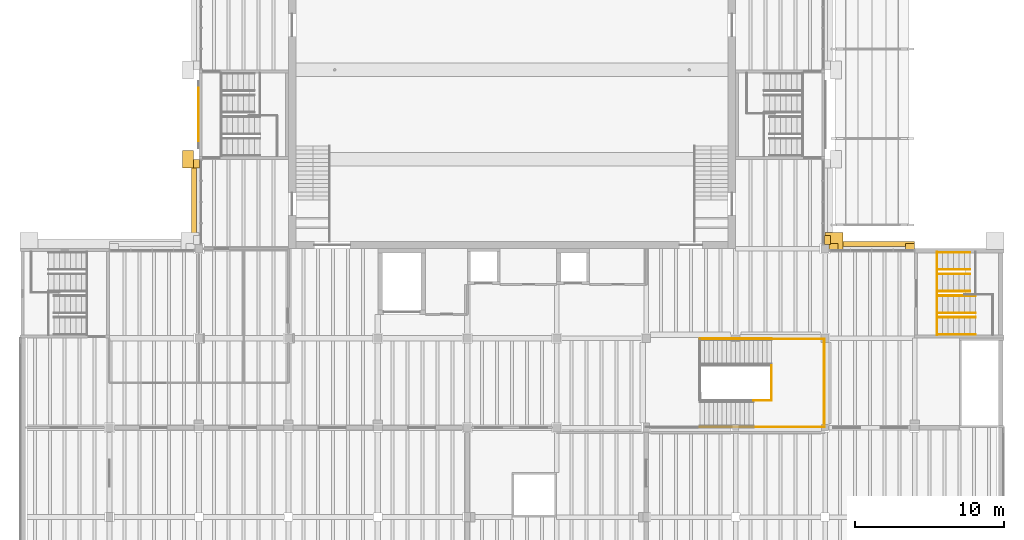
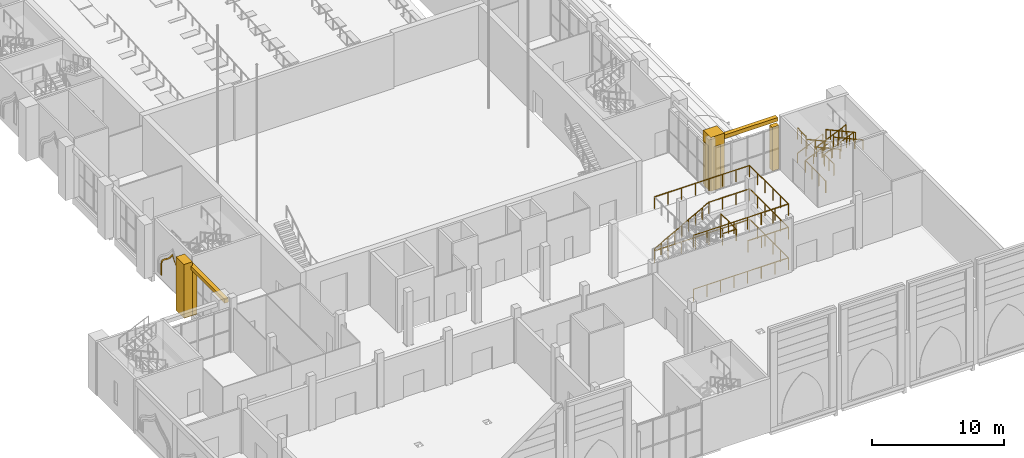
# One storey, part 62 of 80: 23 railings, 9 coverings.
"""IFC4 building model written with IfcOpenShell, lengths in metres."""

import ifcopenshell
import ifcopenshell.guid

model = None  # the IFC model being written
_history = None  # IfcOwnerHistory: only IFC2X3 demands one
_inside = {}  # id of a spatial element -> (the spatial element, [elements in it])
_under = {}  # id of a project, library or spatial element -> (it, [spatial elements below it])
_declared = {}  # id of a project -> (the project, [libraries it declares])
_typed = {}  # id of a type object -> (the type object, [elements of that type])
_made_of = {}  # id of a material, layer set ... -> (it, [elements and type objects made of it])


def new_model(schema):
    """Start an empty IFC model of exactly this schema.

    Asked for "IFC4X3", IfcOpenShell would pick the latest addendum, in which some entities
    have other attributes; the version numbers below select the first issue.
    IFC2X3 requires an IfcOwnerHistory on every rooted entity: one is made here for all.
    """
    global model, _history
    if schema == "IFC4X3":
        model = ifcopenshell.file(schema_version=(4, 3, 0, 0))
    else:
        model = ifcopenshell.file(schema=schema)
    _inside.clear()
    _under.clear()
    _declared.clear()
    _typed.clear()
    _made_of.clear()
    _history = None
    if model.schema == "IFC2X3":
        org = make("IfcOrganization", Name="unknown")
        user = make(
            "IfcPersonAndOrganization",
            ThePerson=make("IfcPerson", FamilyName="unknown"),
            TheOrganization=org,
        )
        app = make(
            "IfcApplication",
            ApplicationDeveloper=org,
            Version="unknown",
            ApplicationFullName="unknown",
            ApplicationIdentifier="unknown",
        )
        _history = make(
            "IfcOwnerHistory",
            OwningUser=user,
            OwningApplication=app,
            ChangeAction="ADDED",
            CreationDate=0,
        )
    return model


def make(cls, **values):
    """One entity of the class cls with the attributes given. An attribute that is None is left unset."""
    return model.create_entity(
        cls, **{name: value for name, value in values.items() if value is not None}
    )


def rooted(cls, **values):
    """An entity with a GlobalId (a new one), such as an element, a storey or a relation."""
    return make(cls, GlobalId=ifcopenshell.guid.new(), OwnerHistory=_history, **values)


def si_unit(unit_type, name, prefix=None):
    """IfcSIUnit, for example si_unit("LENGTHUNIT", "METRE", prefix="MILLI")."""
    return make("IfcSIUnit", UnitType=unit_type, Prefix=prefix, Name=name)


def assignment(units):
    """IfcUnitAssignment: the units of a project."""
    return None if units is None else make("IfcUnitAssignment", Units=units)


def point(xyz):
    """IfcCartesianPoint."""
    return None if xyz is None else make("IfcCartesianPoint", Coordinates=xyz)


def direction(xyz):
    """IfcDirection."""
    return None if xyz is None else make("IfcDirection", DirectionRatios=xyz)


def frame(location, z_axis=None, x_axis=None):
    """IfcAxis2Placement3D, a coordinate frame: its origin and axes. An axis left out is left unset."""
    return make(
        "IfcAxis2Placement3D",
        Location=point(location),
        Axis=direction(z_axis),
        RefDirection=direction(x_axis),
    )


def frame_2d(location, x_axis=None):
    """IfcAxis2Placement2D, a coordinate frame in the plane: its origin and x axis."""
    return make(
        "IfcAxis2Placement2D", Location=point(location), RefDirection=direction(x_axis)
    )


def origin():
    """The frame at (0, 0, 0) with its axes left unset."""
    return frame((0.0, 0.0, 0.0))


def origin_2d():
    """The frame at (0, 0) in the plane with its x axis left unset."""
    return frame_2d((0.0, 0.0))


def place(relative_to, where):
    """IfcLocalPlacement: puts the frame where relative to a parent placement (None: the world)."""
    return make(
        "IfcLocalPlacement", PlacementRelTo=relative_to, RelativePlacement=where
    )


def context(
    kind, dimensions, precision=None, world=None, true_north=None, identifier=None
):
    """IfcGeometricRepresentationContext, for example the 3D "Model" context."""
    return make(
        "IfcGeometricRepresentationContext",
        ContextIdentifier=identifier,
        ContextType=kind,
        CoordinateSpaceDimension=dimensions,
        Precision=precision,
        WorldCoordinateSystem=world,
        TrueNorth=true_north,
    )


def subcontext(parent, identifier, kind, view, scale=None):
    """IfcGeometricRepresentationSubContext, for example "Body" below "Model"."""
    return make(
        "IfcGeometricRepresentationSubContext",
        ContextIdentifier=identifier,
        ContextType=kind,
        ParentContext=parent,
        TargetScale=scale,
        TargetView=view,
    )


def project(units=None, contexts=None):
    """IfcProject with its units and contexts."""
    return rooted(
        "IfcProject",
        Name="project",
        RepresentationContexts=contexts,
        UnitsInContext=assignment(units),
    )


def spatial(cls, under=None, at=None, **own):
    """A site, building, storey or space (cls), placed at a placement, below another one or the project."""
    s = rooted(cls, ObjectPlacement=at, **own)
    if under is not None:
        _under.setdefault(under.id(), (under, []))[1].append(s)
    return s


def polyline(points):
    """IfcPolyline through the points."""
    return make("IfcPolyline", Points=[point(p) for p in points])


def profile(cls, at=None, kind="AREA", **sizes):
    """A parametric profile (cls). Its sizes go by their IFC names, for example OverallWidth=200.0."""
    return make(cls, ProfileType=kind, Position=at, **sizes)


def rectangle(**sizes):
    """IfcRectangleProfileDef."""
    return profile("IfcRectangleProfileDef", **sizes)


def circle(**sizes):
    """IfcCircleProfileDef."""
    return profile("IfcCircleProfileDef", **sizes)


def outline(outer, holes=None, kind="AREA"):
    """IfcArbitraryClosedProfileDef: a profile drawn as a closed curve; with holes, ...WithVoids."""
    if holes is None:
        return make("IfcArbitraryClosedProfileDef", ProfileType=kind, OuterCurve=outer)
    return make(
        "IfcArbitraryProfileDefWithVoids",
        ProfileType=kind,
        OuterCurve=outer,
        InnerCurves=holes,
    )


def extrude(swept, where, along, depth):
    """IfcExtrudedAreaSolid: the profile swept, set in the frame where, extruded along a direction by depth."""
    return make(
        "IfcExtrudedAreaSolid",
        SweptArea=swept,
        Position=where,
        ExtrudedDirection=direction(along),
        Depth=depth,
    )


def shape(context_of_items, identifier, shape_type, items):
    """IfcShapeRepresentation: the items that make up one representation, for example the "Body"."""
    return make(
        "IfcShapeRepresentation",
        ContextOfItems=context_of_items,
        RepresentationIdentifier=identifier,
        RepresentationType=shape_type,
        Items=items,
    )


def material(Name=None, Category=None):
    """IfcMaterial."""
    return make("IfcMaterial", Name=Name, Category=Category)


def layer(
    of_material, thickness, ventilated=None, Name=None, Category=None, Priority=None
):
    """IfcMaterialLayer: one layer of a wall or slab, of a material (None: an air gap)."""
    return make(
        "IfcMaterialLayer",
        Material=of_material,
        LayerThickness=thickness,
        IsVentilated=ventilated,
        Name=Name,
        Category=Category,
        Priority=Priority,
    )


def layer_set(layers, Name=None):
    """IfcMaterialLayerSet."""
    return make("IfcMaterialLayerSet", MaterialLayers=layers, LayerSetName=Name)


def made_of(thing, what):
    """Note that an element or type object is made of a material, layer set ...; save() writes the relation."""
    if what is not None:
        _made_of.setdefault(what.id(), (what, []))[1].append(thing)
    return thing


def type_object(cls, material=None, **own):
    """A type object (cls), such as IfcWallType, which elements share."""
    return made_of(rooted(cls, **own), material)


def element(
    cls,
    number,
    at=None,
    inside=None,
    cuts=None,
    type_object=None,
    material=None,
    context=None,
    identifier="Body",
    shape_type=None,
    held_by="IfcProductDefinitionShape",
    body=None,
    shapes=None,
    **own,
):
    """One element of the class cls, such as IfcWall. Its Tag is "e" and its number.

    at: its placement. inside: the storey or other place that contains it. cuts: it is an
    opening in that element (IfcRelVoidsElement). A single representation is given by context,
    identifier, shape_type and body (its items); several are given by shapes. held_by: the class
    of the entity that holds the representations. save() writes the other relations.
    """
    e = rooted(cls, Tag="e%d" % number, ObjectPlacement=at, **own)
    if body is not None:
        shapes = [shape(context, identifier, shape_type, body)]
    if shapes is not None:
        e.Representation = make(held_by, Representations=shapes)
    if inside is not None:
        _inside.setdefault(inside.id(), (inside, []))[1].append(e)
    if cuts is not None:
        rooted(
            "IfcRelVoidsElement", RelatingBuildingElement=cuts, RelatedOpeningElement=e
        )
    if type_object is not None:
        _typed.setdefault(type_object.id(), (type_object, []))[1].append(e)
    return made_of(e, material)


def aggregate(whole, parts):
    """IfcRelAggregates: a whole, such as a stair, and the parts it consists of."""
    return rooted("IfcRelAggregates", RelatingObject=whole, RelatedObjects=parts)


def save(model, path):
    """Write the relations noted so far, then the file.

    IfcRelAggregates (storeys below a building ...), IfcRelContainedInSpatialStructure (elements
    in a storey), IfcRelDefinesByType, IfcRelAssociatesMaterial and IfcRelDeclares: one each for
    every whole, place, type object, material and project.
    """
    for whole, parts in _under.values():
        aggregate(whole, parts)
    for where, things in _inside.values():
        rooted(
            "IfcRelContainedInSpatialStructure",
            RelatedElements=things,
            RelatingStructure=where,
        )
    for kind, things in _typed.values():
        rooted("IfcRelDefinesByType", RelatedObjects=things, RelatingType=kind)
    for what, things in _made_of.values():
        rooted("IfcRelAssociatesMaterial", RelatedObjects=things, RelatingMaterial=what)
    for by, libraries in _declared.values():
        rooted("IfcRelDeclares", RelatingContext=by, RelatedDefinitions=libraries)
    model.write(path)


model = new_model("IFC4")

# Units and contexts
model_context = context("Model", 3, precision=1e-05, world=origin(), true_north=direction((0.0, 1.0)))
body_context = subcontext(model_context, "Body", "Model", "MODEL_VIEW")
ifc_project = project(units=[si_unit("LENGTHUNIT", "METRE"), si_unit("AREAUNIT", "SQUARE_METRE"), si_unit("VOLUMEUNIT", "CUBIC_METRE"), si_unit("PLANEANGLEUNIT", "RADIAN"), si_unit("MASSUNIT", "GRAM", prefix="KILO")], contexts=[model_context])

# Site, building, storey
site_placement = place(None, origin())
site = spatial("IfcSite", under=ifc_project, at=site_placement, CompositionType="ELEMENT")
building_placement = place(site_placement, origin())
building = spatial("IfcBuilding", under=site, at=building_placement, Name="Saffron Lane Theatres", CompositionType="ELEMENT")
storey_placement = place(building_placement, frame((0.0, 0.0, 7.0)))
storey = spatial("IfcBuildingStorey", under=building, at=storey_placement, Name="L01", CompositionType="ELEMENT", Elevation=7.0)

# Coverings
ifc_material_1 = material(Name="Masonry sandstone", Category="masonry")
ifc_layer_1 = layer(ifc_material_1, 0.050048828125)
ifc_layer_set_1 = layer_set([ifc_layer_1], Name="Masonry sandstone")
covering_type_1 = type_object("IfcCoveringType", Name="EX-ARCH FRAME RING SANDSTONE 50", PredefinedType="CLADDING", material=ifc_layer_set_1)
covering_1_placement = place(storey_placement, frame((12.0, 37.220947265625, 1.466064453125), z_axis=(1.0, 0.0, 0.0), x_axis=(0.0, -0.06442827163, -0.997922340573)))
element("IfcCovering", 1, at=covering_1_placement, inside=storey, type_object=covering_type_1, Name="Arch recess ring L01", PredefinedType="CLADDING", context=body_context, shape_type="SweptSolid", body=[
    extrude(outline(polyline([(0.0, 0.0), (0.17052029873114202, -1.734723475976807e-18), (1.0646548177504682, 0.057727479707130096), (1.0569158749668421, 0.17759510460018418), (0.1666794900903794, 0.12011929782910698), (0.009378312325415084, 0.11999416045256955), (-0.12631115114749694, 0.14132553905751855), (-0.24603161728210898, 0.1805686902487979), (-0.35582673200113546, 0.23659947491203814), (-0.4578891957599371, 0.3092763270207095), (-0.555794861524932, 0.3971451362776176), (-0.653316026970957, 0.49800516267527767), (-0.7518515741675732, 0.6107874953269541), (-0.8559833487339207, 0.734462372469297), (-0.9676838373063142, 0.8654773607007713), (-1.0898294518163916, 1.00291280516755), (-1.2261138421464728, 1.1433497989425043), (-1.3797199718461386, 1.2868274911490194), (-1.5533040390279798, 1.4290153595582635), (-1.7497739147406413, 1.569481016084268), (-1.8987485633254448, 1.6601689117707128), (-1.7626721527133515, 1.769260390906025), (-1.5858956842468284, 1.9338237310590929), (-1.4320364834281316, 2.0971521260967796), (-1.2981552200916107, 2.259190697337195), (-1.1810608911355616, 2.415986431955586), (-1.077601992127411, 2.5679874475964257), (-0.9836759046637523, 2.7122781832046896), (-0.8963118394619282, 2.8483164933306306), (-0.8130968822475313, 2.9728330766257725), (-0.7293548100504015, 3.0853958945498916), (-0.6435609043329518, 3.185124790918292), (-0.5516911944842918, 3.270322371595594), (-0.45001253195297086, 3.340006413039703), (-0.33633221628362797, 3.394318481277149), (-0.20451222420252907, 3.432920915118727), (-0.04850087023483576, 3.45302398997744), (0.841735514641627, 3.510499796748517), (0.8339965718580008, 3.6303674216415716), (-0.06013794716132548, 3.5726399419344412), (-0.22924258562717004, 3.5507129373808337), (-0.378596141799031, 3.507064111625651), (-0.5108079746597345, 3.444216136307078), (-0.6259724615603004, 3.3636308117286893), (-0.7289703097314318, 3.2689074104217855), (-0.8232595752236446, 3.1605566187191068), (-0.9107501759849842, 3.0416355637022074), (-0.996699979104489, 2.914006625097878), (-1.0852822112259581, 2.7778896671794207), (-1.1770785164682693, 2.6347150311334024), (-1.2787771031070279, 2.485763452567737), (-1.393199504391982, 2.333054606794249), (-1.5222947873945643, 2.1764626573449113), (-1.670393474343606, 2.018643802332316), (-1.8417002509999132, 1.8603051727976225), (-2.106324206432929, 1.6467673279258968), (-1.816438580043605, 1.469029958207694), (-1.6261934149493182, 1.3340339934919054), (-1.4590305030942705, 1.196569187182587), (-1.3108709951856827, 1.0578774753100109), (-1.1777618783988018, 0.9211498609758807), (-1.057754085662196, 0.786512180648223), (-0.9483092157791764, 0.6563301599259349), (-0.842959274293184, 0.5327339305761084), (-0.7413113717873806, 0.417216752019324), (-0.6392551998519803, 0.31053329351799586), (-0.5318160234510044, 0.21520657625605405), (-0.4174928931574932, 0.13451394113409837), (-0.29292213027195085, 0.06940650212296195), (-0.15372637343577983, 0.024081254977071236), (0.0, 0.0)])), origin(), (0.0, 0.0, -1.0), 0.050048828125),
])
ifc_material_2 = material(Name="Masonry sandstone", Category="masonry")
ifc_layer_2 = layer(ifc_material_2, 1.199951171875)
ifc_layer_set_2 = layer_set([ifc_layer_2], Name="Masonry sandstone")
covering_type_2 = type_object("IfcCoveringType", Name="EX-FLANK BUTTRESS PIER SANDSTONE 1200", PredefinedType="CLADDING", material=ifc_layer_set_2)
covering_2_placement = place(storey_placement, frame((11.27490234375, 36.0, 0.0), z_axis=(0.0, 0.0, 1.0), x_axis=(0.0, 1.0, 0.0)))
element("IfcCovering", 2, at=covering_2_placement, inside=storey, type_object=covering_type_2, Name="Flank buttress west L01", PredefinedType="CLADDING", context=body_context, shape_type="SweptSolid", body=[
    extrude(rectangle(XDim=1.199951171875, YDim=0.75, at=origin_2d()), origin(), (0.0, 0.0, 1.0), 5.0),
])
ifc_material_3 = material(Name="Masonry sandstone", Category="masonry")
ifc_layer_3 = layer(ifc_material_3, 0.39990234375)
ifc_layer_set_3 = layer_set([ifc_layer_3], Name="Masonry sandstone")
covering_type_3 = type_object("IfcCoveringType", Name="EX-PILASTER PIER SANDSTONE 400", PredefinedType="CLADDING", material=ifc_layer_set_3)
for number, where, z_axis, x_axis, name in (
    (3, (11.85009765625, 35.699951171875, 0.0), (0.0, 0.0, 1.0), (0.0, 1.0, 0.0), "Pilaster pier L01"),
    (4, (54.14990234375, 30.574951171875, 0.0), (0.0, 0.0, 1.0), (0.0, -1.0, 0.0), "Pilaster pier L01"),
    (5, (54.574951171875, 30.14990234375, 0.0), (0.0, 0.0, 1.0), (1.0, 0.0, 0.0), "Pilaster pier L01"),
    (6, (59.699951171875, 30.14990234375, 0.0), (0.0, 0.0, 1.0), (1.0, 0.0, 0.0), "Pilaster pier L01"),
):
    element("IfcCovering", number, at=place(storey_placement, frame(where, z_axis=z_axis, x_axis=x_axis)), inside=storey, type_object=covering_type_3, Name=name, PredefinedType="CLADDING", context=body_context, shape_type="SweptSolid", body=[
        extrude(rectangle(XDim=0.60009765625, YDim=0.39990234375, at=origin_2d()), origin(), (0.0, 0.0, 1.0), 4.050048828125),
    ])
ifc_material_4 = material(Name="Masonry sandstone", Category="masonry")
ifc_layer_4 = layer(ifc_material_4, 1.199951171875)
ifc_layer_set_4 = layer_set([ifc_layer_4], Name="Masonry sandstone")
covering_type_4 = type_object("IfcCoveringType", Name="EX-REAR BUTTRESS PIER SANDSTONE 1200", PredefinedType="CLADDING", material=ifc_layer_set_4)
covering_3_placement = place(storey_placement, frame((54.60009765625, 30.52490234375, 0.0), z_axis=(0.0, 0.0, 1.0), x_axis=(1.0, 0.0, 0.0)))
element("IfcCovering", 7, at=covering_3_placement, inside=storey, type_object=covering_type_4, Name="Rear buttress pier L01", PredefinedType="CLADDING", context=body_context, shape_type="SweptSolid", body=[
    extrude(rectangle(XDim=1.199951171875, YDim=1.14990234375, at=origin_2d()), origin(), (0.0, 0.0, 1.0), 5.0),
])
ifc_material_5 = material(Name="Masonry sandstone", Category="masonry")
ifc_layer_5 = layer(ifc_material_5, 0.300048828125)
ifc_layer_set_5 = layer_set([ifc_layer_5], Name="Masonry sandstone")
covering_type_5 = type_object("IfcCoveringType", Name="EX-STRING COURSE SANDSTONE 350", PredefinedType="CLADDING", material=ifc_layer_set_5)
for number, where, z_axis, x_axis, name in (
    (8, (11.675048828125, 33.137939453125, 4.300048828125), (0.0, 0.0, 1.0), (0.0, 1.0, 0.0), "String course L01"),
    (9, (57.137939453125, 30.324951171875, 4.300048828125), (0.0, 0.0, 1.0), (1.0, 0.0, 0.0), "String course L01"),
):
    element("IfcCovering", number, at=place(storey_placement, frame(where, z_axis=z_axis, x_axis=x_axis)), inside=storey, type_object=covering_type_5, Name=name, PredefinedType="CLADDING", context=body_context, shape_type="SweptSolid", body=[
        extrude(rectangle(XDim=5.72509765625, YDim=0.35009765625, at=origin_2d()), origin(), (0.0, 0.0, 1.0), 0.35009765625),
    ])

# Railings
ifc_material_6 = material(Name="Steel Grade 350", Category="steel")
railing_type_1 = type_object("IfcRailingType", Name="VC-GUARD 1100", PredefinedType="GUARDRAIL", material=ifc_material_6)
railing_1_placement = place(storey_placement, frame((61.5, 29.77001953125, 2.333251953125)))
element("IfcRailing", 10, at=railing_1_placement, inside=storey, type_object=railing_type_1, Name="Studio North Stair landing guard 2S2w", PredefinedType="GUARDRAIL", context=body_context, shape_type="SweptSolid", body=[
    extrude(circle(Radius=0.02392578125, at=origin_2d()), frame((0.0, 0.0, 1.076171875), z_axis=(0.0, -1.0, 0.0), x_axis=(1.0, 0.0, 0.0)), (0.0, 0.0, 1.0), 1.320068359375),
    extrude(circle(Radius=0.02099609375, at=origin_2d()), origin(), (0.0, 0.0, 1.0), 1.052001953125),
    extrude(circle(Radius=0.02099609375, at=origin_2d()), frame((0.0, -0.66015625, 0.0)), (0.0, 0.0, 1.0), 1.052001953125),
    extrude(circle(Radius=0.02099609375, at=origin_2d()), frame((0.0, -1.320068359375, 0.0)), (0.0, 0.0, 1.0), 1.052001953125),
])
railing_2_placement = place(storey_placement, frame((61.5, 25.64990234375, 2.333251953125)))
element("IfcRailing", 11, at=railing_2_placement, inside=storey, type_object=railing_type_1, Name="Studio North Stair landing guard 2S2e", PredefinedType="GUARDRAIL", context=body_context, shape_type="SweptSolid", body=[
    extrude(circle(Radius=0.02392578125, at=origin_2d()), frame((0.0, 0.0, 1.076171875), z_axis=(0.0, -1.0, 0.0), x_axis=(1.0, 0.0, 0.0)), (0.0, 0.0, 1.0), 1.419921875),
    extrude(circle(Radius=0.02099609375, at=origin_2d()), origin(), (0.0, 0.0, 1.0), 1.052001953125),
    extrude(circle(Radius=0.02099609375, at=origin_2d()), frame((0.0, -0.7099609375, 0.0)), (0.0, 0.0, 1.0), 1.052001953125),
    extrude(circle(Radius=0.02099609375, at=origin_2d()), frame((0.0, -1.419921875, 0.0)), (0.0, 0.0, 1.0), 1.052001953125),
])
railing_3_placement = place(storey_placement, frame((61.5, 28.550048828125, 0.0)))
element("IfcRailing", 12, at=railing_3_placement, inside=storey, type_object=railing_type_1, Name="Studio North Stair guard L01", PredefinedType="GUARDRAIL", context=body_context, shape_type="SweptSolid", body=[
    extrude(circle(Radius=0.02392578125, at=origin_2d()), frame((0.0, 0.0, 1.076171875), z_axis=(0.0, -1.0, 0.0), x_axis=(1.0, 0.0, 0.0)), (0.0, 0.0, 1.0), 3.10009765625),
    extrude(circle(Radius=0.02099609375, at=origin_2d()), origin(), (0.0, 0.0, 1.0), 1.052001953125),
    extrude(circle(Radius=0.02099609375, at=origin_2d()), frame((0.0, -1.033447265625, 0.0)), (0.0, 0.0, 1.0), 1.052001953125),
    extrude(circle(Radius=0.02099609375, at=origin_2d()), frame((0.0, -2.066650390625, 0.0)), (0.0, 0.0, 1.0), 1.052001953125),
    extrude(circle(Radius=0.02099609375, at=origin_2d()), frame((0.0, -3.10009765625, 0.0)), (0.0, 0.0, 1.0), 1.052001953125),
])
railing_4_placement = place(storey_placement, frame((45.60009765625, 23.969970703125, 0.166748046875)))
element("IfcRailing", 13, at=railing_4_placement, inside=storey, type_object=railing_type_1, Name="Studio Foyer Stair flight guard 2.1a", PredefinedType="GUARDRAIL", context=body_context, shape_type="SweptSolid", body=[
    extrude(circle(Radius=0.02392578125, at=origin_2d()), frame((0.0, 0.0, 1.076171875), z_axis=(0.874157276122, 0.0, 0.485642931179), x_axis=(0.0, 1.0, 0.0)), (0.0, 0.0, 1.0), 0.686279296875),
    extrude(circle(Radius=0.02392578125, at=origin_2d()), frame((0.599853515625, 0.0, 1.4091796875), z_axis=(0.874241147926, 0.0, 0.485491931212), x_axis=(0.0, 1.0, 0.0)), (0.0, 0.0, 1.0), 0.6865234375),
    extrude(circle(Radius=0.02392578125, at=origin_2d()), frame((1.199951171875, 0.0, 1.74267578125), z_axis=(0.874006220275, 0.0, 0.485914732151), x_axis=(0.0, 1.0, 0.0)), (0.0, 0.0, 1.0), 0.686279296875),
    extrude(circle(Radius=0.02392578125, at=origin_2d()), frame((1.7998046875, 0.0, 2.076171875), z_axis=(0.874241147926, 0.0, 0.485491931212), x_axis=(0.0, 1.0, 0.0)), (0.0, 0.0, 1.0), 0.6865234375),
    extrude(circle(Radius=0.02392578125, at=origin_2d()), frame((2.39990234375, 0.0, 2.4091796875), z_axis=(0.874241147926, 0.0, 0.485491931212), x_axis=(0.0, 1.0, 0.0)), (0.0, 0.0, 1.0), 0.6865234375),
    extrude(circle(Radius=0.02392578125, at=origin_2d()), frame((3.0, 0.0, 2.74267578125), z_axis=(0.874006220275, 0.0, 0.485914732151), x_axis=(0.0, 1.0, 0.0)), (0.0, 0.0, 1.0), 0.686279296875),
    extrude(circle(Radius=0.02392578125, at=origin_2d()), frame((3.599853515625, 0.0, 3.076171875), z_axis=(0.874241147926, 0.0, 0.485491931212), x_axis=(0.0, 1.0, 0.0)), (0.0, 0.0, 1.0), 0.6865234375),
    extrude(circle(Radius=0.02392578125, at=origin_2d()), frame((4.199951171875, 0.0, 3.4091796875), z_axis=(0.874157276122, 0.0, 0.485642931179), x_axis=(0.0, 1.0, 0.0)), (0.0, 0.0, 1.0), 0.686279296875),
    extrude(circle(Radius=0.02099609375, at=origin_2d()), origin(), (0.0, 0.0, 1.0), 1.052001953125),
    extrude(circle(Radius=0.02099609375, at=origin_2d()), frame((0.599853515625, 0.0, 0.333251953125)), (0.0, 0.0, 1.0), 1.052001953125),
    extrude(circle(Radius=0.02099609375, at=origin_2d()), frame((1.199951171875, 0.0, 0.66650390625)), (0.0, 0.0, 1.0), 1.052001953125),
    extrude(circle(Radius=0.02099609375, at=origin_2d()), frame((1.7998046875, 0.0, 1.0)), (0.0, 0.0, 1.0), 1.052001953125),
    extrude(circle(Radius=0.02099609375, at=origin_2d()), frame((2.39990234375, 0.0, 1.333251953125)), (0.0, 0.0, 1.0), 1.052001953125),
    extrude(circle(Radius=0.02099609375, at=origin_2d()), frame((3.0, 0.0, 1.66650390625)), (0.0, 0.0, 1.0), 1.052001953125),
    extrude(circle(Radius=0.02099609375, at=origin_2d()), frame((3.599853515625, 0.0, 2.0)), (0.0, 0.0, 1.0), 1.052001953125),
    extrude(circle(Radius=0.02099609375, at=origin_2d()), frame((4.199951171875, 0.0, 2.333251953125)), (0.0, 0.0, 1.0), 1.052001953125),
    extrude(circle(Radius=0.02099609375, at=origin_2d()), frame((4.7998046875, 0.0, 2.66650390625)), (0.0, 0.0, 1.0), 1.052001953125),
])
for number, where, name in (
    (14, (50.39990234375, 23.949951171875, 2.833251953125), "Studio Foyer Stair landing guard 2m-west"),
    (15, (50.39990234375, 18.050048828125, 2.833251953125), "Studio Foyer Stair landing guard 2m-east"),
):
    element("IfcRailing", number, at=place(storey_placement, frame(where)), inside=storey, type_object=railing_type_1, Name=name, PredefinedType="GUARDRAIL", context=body_context, shape_type="SweptSolid", body=[
        extrude(circle(Radius=0.02392578125, at=origin_2d()), frame((0.0, 0.0, 1.076171875), z_axis=(1.0, 0.0, 0.0), x_axis=(0.0, 1.0, 0.0)), (0.0, 0.0, 1.0), 3.550048828125),
        extrude(circle(Radius=0.02099609375, at=origin_2d()), origin(), (0.0, 0.0, 1.0), 1.052001953125),
        extrude(circle(Radius=0.02099609375, at=origin_2d()), frame((1.183349609375, 0.0, 0.0)), (0.0, 0.0, 1.0), 1.052001953125),
        extrude(circle(Radius=0.02099609375, at=origin_2d()), frame((2.36669921875, 0.0, 0.0)), (0.0, 0.0, 1.0), 1.052001953125),
        extrude(circle(Radius=0.02099609375, at=origin_2d()), frame((3.550048828125, 0.0, 0.0)), (0.0, 0.0, 1.0), 1.052001953125),
    ])
railing_5_placement = place(storey_placement, frame((53.949951171875, 23.949951171875, 2.833251953125)))
element("IfcRailing", 16, at=railing_5_placement, inside=storey, type_object=railing_type_1, Name="Studio Foyer Stair landing guard 2m-north", PredefinedType="GUARDRAIL", context=body_context, shape_type="SweptSolid", body=[
    extrude(circle(Radius=0.02392578125, at=origin_2d()), frame((0.0, 0.0, 1.076171875), z_axis=(0.0, -1.0, 0.0), x_axis=(1.0, 0.0, 0.0)), (0.0, 0.0, 1.0), 5.89990234375),
    extrude(circle(Radius=0.02099609375, at=origin_2d()), origin(), (0.0, 0.0, 1.0), 1.052001953125),
    extrude(circle(Radius=0.02099609375, at=origin_2d()), frame((0.0, -1.179931640625, 0.0)), (0.0, 0.0, 1.0), 1.052001953125),
    extrude(circle(Radius=0.02099609375, at=origin_2d()), frame((0.0, -2.35986328125, 0.0)), (0.0, 0.0, 1.0), 1.052001953125),
    extrude(circle(Radius=0.02099609375, at=origin_2d()), frame((0.0, -3.5400390625, 0.0)), (0.0, 0.0, 1.0), 1.052001953125),
    extrude(circle(Radius=0.02099609375, at=origin_2d()), frame((0.0, -4.719970703125, 0.0)), (0.0, 0.0, 1.0), 1.052001953125),
    extrude(circle(Radius=0.02099609375, at=origin_2d()), frame((0.0, -5.89990234375, 0.0)), (0.0, 0.0, 1.0), 1.052001953125),
])
railing_6_placement = place(storey_placement, frame((49.199951171875, 19.820068359375, 2.833251953125)))
element("IfcRailing", 17, at=railing_6_placement, inside=storey, type_object=railing_type_1, Name="Studio Foyer Stair landing guard 2m-exta4.15", PredefinedType="GUARDRAIL", context=body_context, shape_type="SweptSolid", body=[
    extrude(circle(Radius=0.02392578125, at=origin_2d()), frame((0.0, 0.0, 1.076171875), z_axis=(1.0, 0.0, 0.0), x_axis=(0.0, 1.0, 0.0)), (0.0, 0.0, 1.0), 1.199951171875),
    extrude(circle(Radius=0.02099609375, at=origin_2d()), origin(), (0.0, 0.0, 1.0), 1.052001953125),
    extrude(circle(Radius=0.02099609375, at=origin_2d()), frame((1.199951171875, 0.0, 0.0)), (0.0, 0.0, 1.0), 1.052001953125),
])
railing_7_placement = place(storey_placement, frame((50.39990234375, 22.14990234375, 2.833251953125)))
element("IfcRailing", 18, at=railing_7_placement, inside=storey, type_object=railing_type_1, Name="Studio Foyer Stair landing guard 2m-gap1", PredefinedType="GUARDRAIL", context=body_context, shape_type="SweptSolid", body=[
    extrude(circle(Radius=0.02392578125, at=origin_2d()), frame((0.0, 0.0, 1.076171875), z_axis=(0.0, -1.0, 0.0), x_axis=(1.0, 0.0, 0.0)), (0.0, 0.0, 1.0), 2.2998046875),
    extrude(circle(Radius=0.02099609375, at=origin_2d()), origin(), (0.0, 0.0, 1.0), 1.052001953125),
    extrude(circle(Radius=0.02099609375, at=origin_2d()), frame((0.0, -1.14990234375, 0.0)), (0.0, 0.0, 1.0), 1.052001953125),
    extrude(circle(Radius=0.02099609375, at=origin_2d()), frame((0.0, -2.2998046875, 0.0)), (0.0, 0.0, 1.0), 1.052001953125),
])
for number, where, name in (
    (19, (45.60009765625, 23.949951171875, 0.0), "Studio Foyer Stair landing guard 2v-w-L01"),
    (20, (45.60009765625, 18.050048828125, 0.0), "Studio Foyer Stair landing guard 2v-e-L01"),
):
    element("IfcRailing", number, at=place(storey_placement, frame(where)), inside=storey, type_object=railing_type_1, Name=name, PredefinedType="GUARDRAIL", context=body_context, shape_type="SweptSolid", body=[
        extrude(circle(Radius=0.02392578125, at=origin_2d()), frame((0.0, 0.0, 1.076171875), z_axis=(1.0, 0.0, 0.0), x_axis=(0.0, 1.0, 0.0)), (0.0, 0.0, 1.0), 8.349853515625),
        extrude(circle(Radius=0.02099609375, at=origin_2d()), origin(), (0.0, 0.0, 1.0), 1.052001953125),
        extrude(circle(Radius=0.02099609375, at=origin_2d()), frame((1.19287109375, 0.0, 0.0)), (0.0, 0.0, 1.0), 1.052001953125),
        extrude(circle(Radius=0.02099609375, at=origin_2d()), frame((2.3857421875, 0.0, 0.0)), (0.0, 0.0, 1.0), 1.052001953125),
        extrude(circle(Radius=0.02099609375, at=origin_2d()), frame((3.57861328125, 0.0, 0.0)), (0.0, 0.0, 1.0), 1.052001953125),
        extrude(circle(Radius=0.02099609375, at=origin_2d()), frame((4.771240234375, 0.0, 0.0)), (0.0, 0.0, 1.0), 1.052001953125),
        extrude(circle(Radius=0.02099609375, at=origin_2d()), frame((5.964111328125, 0.0, 0.0)), (0.0, 0.0, 1.0), 1.052001953125),
        extrude(circle(Radius=0.02099609375, at=origin_2d()), frame((7.156982421875, 0.0, 0.0)), (0.0, 0.0, 1.0), 1.052001953125),
        extrude(circle(Radius=0.02099609375, at=origin_2d()), frame((8.349853515625, 0.0, 0.0)), (0.0, 0.0, 1.0), 1.052001953125),
    ])
railing_8_placement = place(storey_placement, frame((53.949951171875, 23.949951171875, 0.0)))
element("IfcRailing", 21, at=railing_8_placement, inside=storey, type_object=railing_type_1, Name="Studio Foyer Stair landing guard 2v-n-L01", PredefinedType="GUARDRAIL", context=body_context, shape_type="SweptSolid", body=[
    extrude(circle(Radius=0.02392578125, at=origin_2d()), frame((0.0, 0.0, 1.076171875), z_axis=(0.0, -1.0, 0.0), x_axis=(1.0, 0.0, 0.0)), (0.0, 0.0, 1.0), 5.89990234375),
    extrude(circle(Radius=0.02099609375, at=origin_2d()), origin(), (0.0, 0.0, 1.0), 1.052001953125),
    extrude(circle(Radius=0.02099609375, at=origin_2d()), frame((0.0, -1.179931640625, 0.0)), (0.0, 0.0, 1.0), 1.052001953125),
    extrude(circle(Radius=0.02099609375, at=origin_2d()), frame((0.0, -2.35986328125, 0.0)), (0.0, 0.0, 1.0), 1.052001953125),
    extrude(circle(Radius=0.02099609375, at=origin_2d()), frame((0.0, -3.5400390625, 0.0)), (0.0, 0.0, 1.0), 1.052001953125),
    extrude(circle(Radius=0.02099609375, at=origin_2d()), frame((0.0, -4.719970703125, 0.0)), (0.0, 0.0, 1.0), 1.052001953125),
    extrude(circle(Radius=0.02099609375, at=origin_2d()), frame((0.0, -5.89990234375, 0.0)), (0.0, 0.0, 1.0), 1.052001953125),
])
for number, where, name in (
    (22, (45.60009765625, 23.949951171875, 5.0), "Studio Foyer Stair landing guard 2v-w-L02"),
    (23, (45.60009765625, 18.050048828125, 5.0), "Studio Foyer Stair landing guard 2v-e-L02"),
):
    element("IfcRailing", number, at=place(storey_placement, frame(where)), inside=storey, type_object=railing_type_1, Name=name, PredefinedType="GUARDRAIL", context=body_context, shape_type="SweptSolid", body=[
        extrude(circle(Radius=0.02392578125, at=origin_2d()), frame((0.0, 0.0, 1.076171875), z_axis=(1.0, 0.0, 0.0), x_axis=(0.0, 1.0, 0.0)), (0.0, 0.0, 1.0), 8.349853515625),
        extrude(circle(Radius=0.02099609375, at=origin_2d()), origin(), (0.0, 0.0, 1.0), 1.052001953125),
        extrude(circle(Radius=0.02099609375, at=origin_2d()), frame((1.19287109375, 0.0, 0.0)), (0.0, 0.0, 1.0), 1.052001953125),
        extrude(circle(Radius=0.02099609375, at=origin_2d()), frame((2.3857421875, 0.0, 0.0)), (0.0, 0.0, 1.0), 1.052001953125),
        extrude(circle(Radius=0.02099609375, at=origin_2d()), frame((3.57861328125, 0.0, 0.0)), (0.0, 0.0, 1.0), 1.052001953125),
        extrude(circle(Radius=0.02099609375, at=origin_2d()), frame((4.771240234375, 0.0, 0.0)), (0.0, 0.0, 1.0), 1.052001953125),
        extrude(circle(Radius=0.02099609375, at=origin_2d()), frame((5.964111328125, 0.0, 0.0)), (0.0, 0.0, 1.0), 1.052001953125),
        extrude(circle(Radius=0.02099609375, at=origin_2d()), frame((7.156982421875, 0.0, 0.0)), (0.0, 0.0, 1.0), 1.052001953125),
        extrude(circle(Radius=0.02099609375, at=origin_2d()), frame((8.349853515625, 0.0, 0.0)), (0.0, 0.0, 1.0), 1.052001953125),
    ])
railing_9_placement = place(storey_placement, frame((53.949951171875, 23.949951171875, 5.0)))
element("IfcRailing", 24, at=railing_9_placement, inside=storey, type_object=railing_type_1, Name="Studio Foyer Stair landing guard 2v-n-L02", PredefinedType="GUARDRAIL", context=body_context, shape_type="SweptSolid", body=[
    extrude(circle(Radius=0.02392578125, at=origin_2d()), frame((0.0, 0.0, 1.076171875), z_axis=(0.0, -1.0, 0.0), x_axis=(1.0, 0.0, 0.0)), (0.0, 0.0, 1.0), 5.89990234375),
    extrude(circle(Radius=0.02099609375, at=origin_2d()), origin(), (0.0, 0.0, 1.0), 1.052001953125),
    extrude(circle(Radius=0.02099609375, at=origin_2d()), frame((0.0, -1.179931640625, 0.0)), (0.0, 0.0, 1.0), 1.052001953125),
    extrude(circle(Radius=0.02099609375, at=origin_2d()), frame((0.0, -2.35986328125, 0.0)), (0.0, 0.0, 1.0), 1.052001953125),
    extrude(circle(Radius=0.02099609375, at=origin_2d()), frame((0.0, -3.5400390625, 0.0)), (0.0, 0.0, 1.0), 1.052001953125),
    extrude(circle(Radius=0.02099609375, at=origin_2d()), frame((0.0, -4.719970703125, 0.0)), (0.0, 0.0, 1.0), 1.052001953125),
    extrude(circle(Radius=0.02099609375, at=origin_2d()), frame((0.0, -5.89990234375, 0.0)), (0.0, 0.0, 1.0), 1.052001953125),
])
ifc_material_7 = material(Name="Steel Grade 350", Category="steel")
railing_type_2 = type_object("IfcRailingType", Name="VC-HANDRAIL 900", PredefinedType="HANDRAIL", material=ifc_material_7)
for number, where, name in (
    (25, (61.5, 29.75, 0.166748046875), "Studio North Stair handrail 2.1a"),
    (26, (61.5, 28.60009765625, 0.166748046875), "Studio North Stair handrail 2.1b"),
):
    element("IfcRailing", number, at=place(storey_placement, frame(where)), inside=storey, type_object=railing_type_2, Name=name, PredefinedType="HANDRAIL", context=body_context, shape_type="SweptSolid", body=[
        extrude(circle(Radius=0.02392578125, at=origin_2d()), frame((0.0, 0.0, 0.8759765625), z_axis=(0.911803263409, 0.0, 0.410627335715), x_axis=(0.0, 1.0, 0.0)), (0.0, 0.0, 1.0), 0.8115234375),
        extrude(circle(Radius=0.02392578125, at=origin_2d()), frame((0.739990234375, 0.0, 1.208984375), z_axis=(0.911803263409, 0.0, 0.410627335715), x_axis=(0.0, 1.0, 0.0)), (0.0, 0.0, 1.0), 0.8115234375),
        extrude(circle(Radius=0.02392578125, at=origin_2d()), frame((1.47998046875, 0.0, 1.54248046875), z_axis=(0.911690610408, 0.0, 0.410877391559), x_axis=(0.0, 1.0, 0.0)), (0.0, 0.0, 1.0), 0.811767578125),
        extrude(circle(Radius=0.02099609375, at=origin_2d()), origin(), (0.0, 0.0, 1.0), 0.851806640625),
        extrude(circle(Radius=0.02099609375, at=origin_2d()), frame((0.739990234375, 0.0, 0.333251953125)), (0.0, 0.0, 1.0), 0.851806640625),
        extrude(circle(Radius=0.02099609375, at=origin_2d()), frame((1.47998046875, 0.0, 0.66650390625)), (0.0, 0.0, 1.0), 0.851806640625),
        extrude(circle(Radius=0.02099609375, at=origin_2d()), frame((2.219970703125, 0.0, 1.0)), (0.0, 0.0, 1.0), 0.851806640625),
    ])
for number, where, name in (
    (27, (63.719970703125, 28.300048828125, 1.333251953125), "Studio North Stair handrail 2.2a"),
    (28, (63.719970703125, 27.14990234375, 1.333251953125), "Studio North Stair handrail 2.2b"),
):
    element("IfcRailing", number, at=place(storey_placement, frame(where)), inside=storey, type_object=railing_type_2, Name=name, PredefinedType="HANDRAIL", context=body_context, shape_type="SweptSolid", body=[
        extrude(circle(Radius=0.02392578125, at=origin_2d()), frame((0.0, 0.0, 0.8759765625), z_axis=(-0.911690610408, 0.0, 0.410877391559), x_axis=(0.0, -1.0, 0.0)), (0.0, 0.0, 1.0), 0.811767578125),
        extrude(circle(Radius=0.02392578125, at=origin_2d()), frame((-0.739990234375, 0.0, 1.20947265625), z_axis=(-0.911803263409, 0.0, 0.410627335715), x_axis=(0.0, -1.0, 0.0)), (0.0, 0.0, 1.0), 0.8115234375),
        extrude(circle(Radius=0.02392578125, at=origin_2d()), frame((-1.47998046875, 0.0, 1.54248046875), z_axis=(-0.911803263409, 0.0, 0.410627335715), x_axis=(0.0, -1.0, 0.0)), (0.0, 0.0, 1.0), 0.8115234375),
        extrude(circle(Radius=0.02099609375, at=origin_2d()), origin(), (0.0, 0.0, 1.0), 0.851806640625),
        extrude(circle(Radius=0.02099609375, at=origin_2d()), frame((-0.739990234375, 0.0, 0.33349609375)), (0.0, 0.0, 1.0), 0.851806640625),
        extrude(circle(Radius=0.02099609375, at=origin_2d()), frame((-1.47998046875, 0.0, 0.666748046875)), (0.0, 0.0, 1.0), 0.851806640625),
        extrude(circle(Radius=0.02099609375, at=origin_2d()), frame((-2.219970703125, 0.0, 1.0)), (0.0, 0.0, 1.0), 0.851806640625),
    ])
for number, where, name in (
    (29, (61.5, 26.85009765625, 2.5), "Studio North Stair handrail 2.3a"),
    (30, (61.5, 25.699951171875, 2.5), "Studio North Stair handrail 2.3b"),
):
    element("IfcRailing", number, at=place(storey_placement, frame(where)), inside=storey, type_object=railing_type_2, Name=name, PredefinedType="HANDRAIL", context=body_context, shape_type="SweptSolid", body=[
        extrude(circle(Radius=0.02392578125, at=origin_2d()), frame((0.0, 0.0, 0.8759765625), z_axis=(0.911803263409, 0.0, 0.410627335715), x_axis=(0.0, 1.0, 0.0)), (0.0, 0.0, 1.0), 0.8115234375),
        extrude(circle(Radius=0.02392578125, at=origin_2d()), frame((0.739990234375, 0.0, 1.208984375), z_axis=(0.911690610408, 0.0, 0.410877391559), x_axis=(0.0, 1.0, 0.0)), (0.0, 0.0, 1.0), 0.811767578125),
        extrude(circle(Radius=0.02392578125, at=origin_2d()), frame((1.47998046875, 0.0, 1.54248046875), z_axis=(0.911803263409, 0.0, 0.410627335715), x_axis=(0.0, 1.0, 0.0)), (0.0, 0.0, 1.0), 0.8115234375),
        extrude(circle(Radius=0.02392578125, at=origin_2d()), frame((2.219970703125, 0.0, 1.8759765625), z_axis=(0.911741368748, 0.0, 0.410764745947), x_axis=(0.0, 1.0, 0.0)), (0.0, 0.0, 1.0), 0.406005859375),
        extrude(circle(Radius=0.02099609375, at=origin_2d()), origin(), (0.0, 0.0, 1.0), 0.851806640625),
        extrude(circle(Radius=0.02099609375, at=origin_2d()), frame((0.739990234375, 0.0, 0.333251953125)), (0.0, 0.0, 1.0), 0.851806640625),
        extrude(circle(Radius=0.02099609375, at=origin_2d()), frame((1.47998046875, 0.0, 0.666748046875)), (0.0, 0.0, 1.0), 0.851806640625),
        extrude(circle(Radius=0.02099609375, at=origin_2d()), frame((2.219970703125, 0.0, 1.0)), (0.0, 0.0, 1.0), 0.851806640625),
        extrude(circle(Radius=0.02099609375, at=origin_2d()), frame((2.590087890625, 0.0, 1.166748046875)), (0.0, 0.0, 1.0), 0.851806640625),
    ])
for number, where, name in (
    (31, (64.090087890625, 25.39990234375, 3.833251953125), "Studio North Stair handrail 2.4a"),
    (32, (64.090087890625, 24.25, 3.833251953125), "Studio North Stair handrail 2.4b"),
):
    element("IfcRailing", number, at=place(storey_placement, frame(where)), inside=storey, type_object=railing_type_2, Name=name, PredefinedType="HANDRAIL", context=body_context, shape_type="SweptSolid", body=[
        extrude(circle(Radius=0.02392578125, at=origin_2d()), frame((0.0, 0.0, 0.8759765625), z_axis=(-0.911690610408, 0.0, 0.410877391559), x_axis=(0.0, -1.0, 0.0)), (0.0, 0.0, 1.0), 0.811767578125),
        extrude(circle(Radius=0.02392578125, at=origin_2d()), frame((-0.739990234375, 0.0, 1.20947265625), z_axis=(-0.911803263409, 0.0, 0.410627335715), x_axis=(0.0, -1.0, 0.0)), (0.0, 0.0, 1.0), 0.8115234375),
        extrude(circle(Radius=0.02392578125, at=origin_2d()), frame((-1.47998046875, 0.0, 1.54248046875), z_axis=(-0.911803263409, 0.0, 0.410627335715), x_axis=(0.0, -1.0, 0.0)), (0.0, 0.0, 1.0), 0.8115234375),
        extrude(circle(Radius=0.02392578125, at=origin_2d()), frame((-2.219970703125, 0.0, 1.8759765625), z_axis=(-0.911741368748, 0.0, 0.410764745947), x_axis=(0.0, -1.0, 0.0)), (0.0, 0.0, 1.0), 0.406005859375),
        extrude(circle(Radius=0.02099609375, at=origin_2d()), origin(), (0.0, 0.0, 1.0), 0.851806640625),
        extrude(circle(Radius=0.02099609375, at=origin_2d()), frame((-0.739990234375, 0.0, 0.33349609375)), (0.0, 0.0, 1.0), 0.851806640625),
        extrude(circle(Radius=0.02099609375, at=origin_2d()), frame((-1.47998046875, 0.0, 0.666748046875)), (0.0, 0.0, 1.0), 0.851806640625),
        extrude(circle(Radius=0.02099609375, at=origin_2d()), frame((-2.219970703125, 0.0, 1.0)), (0.0, 0.0, 1.0), 0.851806640625),
        extrude(circle(Radius=0.02099609375, at=origin_2d()), frame((-2.590087890625, 0.0, 1.166748046875)), (0.0, 0.0, 1.0), 0.851806640625),
    ])

save(model, "model.ifc")
